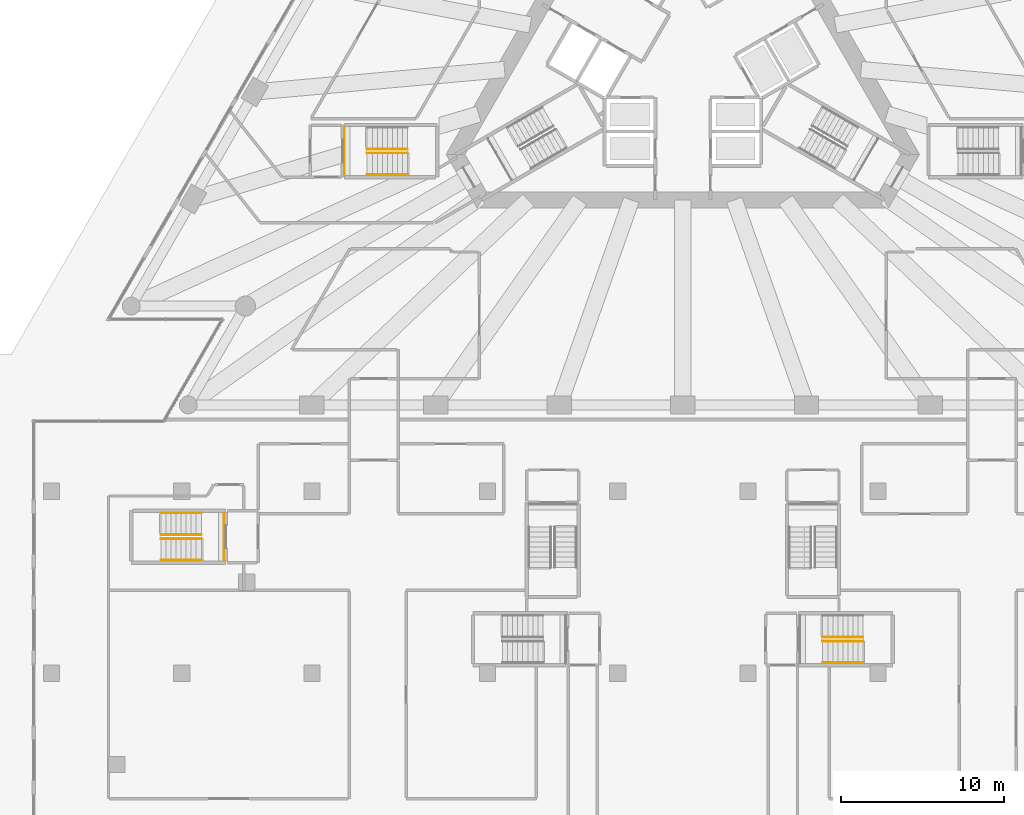
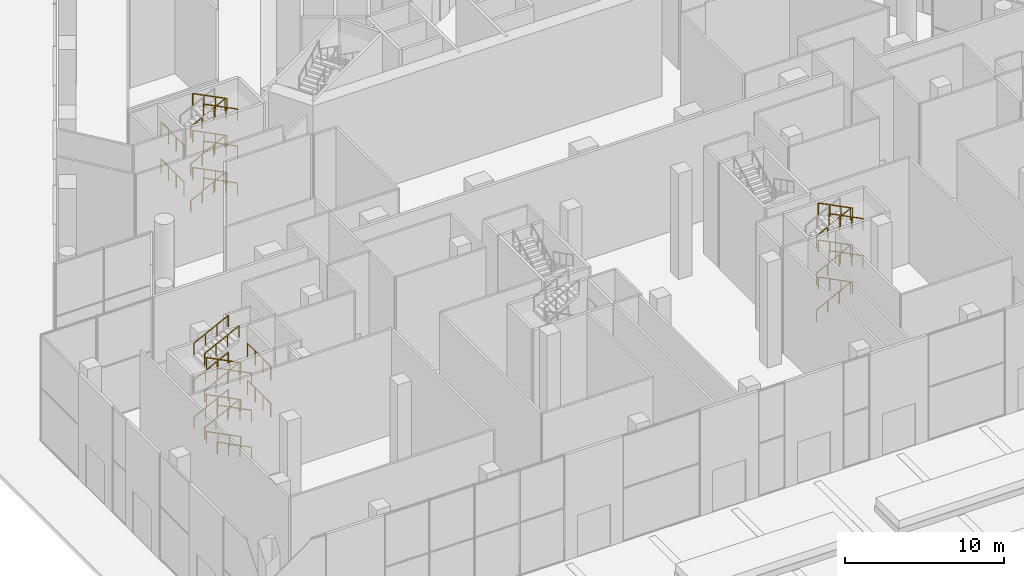
# One storey, part 36 of 41: 33 railings, 3 elements without a shape of their own.
"""IFC4 building model written with IfcOpenShell, lengths in metres."""

from ifc_helpers import new_model, si_unit, direction, frame, origin, origin_2d, place, context, subcontext, project, spatial, circle, extrude, material, type_object, element, aggregate, save


model = new_model("IFC4")

# Units and contexts
model_context = context("Model", 3, precision=1e-05, world=origin(), true_north=direction((0.0, 1.0)))
body_context = subcontext(model_context, "Body", "Model", "MODEL_VIEW")
ifc_project = project(units=[si_unit("LENGTHUNIT", "METRE"), si_unit("AREAUNIT", "SQUARE_METRE"), si_unit("VOLUMEUNIT", "CUBIC_METRE"), si_unit("PLANEANGLEUNIT", "RADIAN"), si_unit("MASSUNIT", "GRAM", prefix="KILO")], contexts=[model_context])

# Site, building, storey
site_placement = place(None, origin())
site = spatial("IfcSite", under=ifc_project, at=site_placement, CompositionType="ELEMENT")
building_placement = place(site_placement, origin())
building = spatial("IfcBuilding", under=site, at=building_placement, Name="Triada Interchange Tower", CompositionType="ELEMENT")
storey_placement = place(building_placement, origin())
storey = spatial("IfcBuildingStorey", under=building, at=storey_placement, Name="L00", CompositionType="ELEMENT", Elevation=0.0)

# Stair, railings
ifc_material_1 = material(Name="Concrete C35/45", Category="concrete")
stair_type = type_object("IfcStairType", Name="HALF TURN STAIR 1400", PredefinedType="HALF_TURN_STAIR", material=ifc_material_1)
stair_1_placement = place(storey_placement, origin())
stair_1 = element("IfcStair", 1, at=stair_1_placement, inside=storey, type_object=stair_type, Name="Exit stair S00-6", PredefinedType="HALF_TURN_STAIR")
ifc_material_2 = material(Name="Stainless steel 1.4301", Category="steel")
railing_type_1 = type_object("IfcRailingType", Name="STAIR GUARD 1100", PredefinedType="GUARDRAIL", material=ifc_material_2)
railing_1_placement = place(storey_placement, frame((-20.800048828125, -4.550048828125, 2.83349609375)))
railing_1 = element("IfcRailing", 2, at=railing_1_placement, type_object=railing_type_1, Name="Guard S00-6 1", PredefinedType="GUARDRAIL", context=body_context, shape_type="SweptSolid", body=[
    extrude(circle(Radius=0.02392578125, at=origin_2d()), frame((0.0, 0.0, 1.076171875), z_axis=(0.0, -1.0, 0.0), x_axis=(1.0, 0.0, 0.0)), (0.0, 0.0, 1.0), 2.89990234375),
    extrude(circle(Radius=0.02099609375, at=origin_2d()), origin(), (0.0, 0.0, 1.0), 1.052001953125),
    extrude(circle(Radius=0.02099609375, at=origin_2d()), frame((0.0, -0.966552734375, 0.0)), (0.0, 0.0, 1.0), 1.052001953125),
    extrude(circle(Radius=0.02099609375, at=origin_2d()), frame((0.0, -1.933349609375, 0.0)), (0.0, 0.0, 1.0), 1.052001953125),
    extrude(circle(Radius=0.02099609375, at=origin_2d()), frame((0.0, -2.89990234375, 0.0)), (0.0, 0.0, 1.0), 1.052001953125),
])
railing_2_placement = place(storey_placement, frame((-20.800048828125, -4.550048828125, 5.666748046875)))
railing_2 = element("IfcRailing", 3, at=railing_2_placement, type_object=railing_type_1, Name="Guard S00-6 2", PredefinedType="GUARDRAIL", context=body_context, shape_type="SweptSolid", body=[
    extrude(circle(Radius=0.02392578125, at=origin_2d()), frame((0.0, 0.0, 1.076171875), z_axis=(0.0, -1.0, 0.0), x_axis=(1.0, 0.0, 0.0)), (0.0, 0.0, 1.0), 2.89990234375),
    extrude(circle(Radius=0.02099609375, at=origin_2d()), origin(), (0.0, 0.0, 1.0), 1.052001953125),
    extrude(circle(Radius=0.02099609375, at=origin_2d()), frame((0.0, -0.966552734375, 0.0)), (0.0, 0.0, 1.0), 1.052001953125),
    extrude(circle(Radius=0.02099609375, at=origin_2d()), frame((0.0, -1.933349609375, 0.0)), (0.0, 0.0, 1.0), 1.052001953125),
    extrude(circle(Radius=0.02099609375, at=origin_2d()), frame((0.0, -2.89990234375, 0.0)), (0.0, 0.0, 1.0), 1.052001953125),
])

stair_2_placement = place(storey_placement, origin())
stair_2 = element("IfcStair", 4, at=stair_2_placement, inside=storey, type_object=stair_type, Name="Exit stair S00-8", PredefinedType="HALF_TURN_STAIR")
railing_3_placement = place(storey_placement, frame((-28.199951171875, -31.14990234375, 2.83349609375)))
railing_3 = element("IfcRailing", 5, at=railing_3_placement, type_object=railing_type_1, Name="Guard S00-8 1", PredefinedType="GUARDRAIL", context=body_context, shape_type="SweptSolid", body=[
    extrude(circle(Radius=0.02392578125, at=origin_2d()), frame((0.0, 0.0, 1.076171875), z_axis=(0.0, 1.0, 0.0), x_axis=(-1.0, 0.0, 0.0)), (0.0, 0.0, 1.0), 2.89990234375),
    extrude(circle(Radius=0.02099609375, at=origin_2d()), origin(), (0.0, 0.0, 1.0), 1.052001953125),
    extrude(circle(Radius=0.02099609375, at=origin_2d()), frame((0.0, 0.966552734375, 0.0)), (0.0, 0.0, 1.0), 1.052001953125),
    extrude(circle(Radius=0.02099609375, at=origin_2d()), frame((0.0, 1.933349609375, 0.0)), (0.0, 0.0, 1.0), 1.052001953125),
    extrude(circle(Radius=0.02099609375, at=origin_2d()), frame((0.0, 2.89990234375, 0.0)), (0.0, 0.0, 1.0), 1.052001953125),
])
railing_4_placement = place(storey_placement, frame((-28.199951171875, -31.14990234375, 5.666748046875)))
railing_4 = element("IfcRailing", 6, at=railing_4_placement, type_object=railing_type_1, Name="Guard S00-8 2", PredefinedType="GUARDRAIL", context=body_context, shape_type="SweptSolid", body=[
    extrude(circle(Radius=0.02392578125, at=origin_2d()), frame((0.0, 0.0, 1.076171875), z_axis=(0.0, 1.0, 0.0), x_axis=(-1.0, 0.0, 0.0)), (0.0, 0.0, 1.0), 2.89990234375),
    extrude(circle(Radius=0.02099609375, at=origin_2d()), origin(), (0.0, 0.0, 1.0), 1.052001953125),
    extrude(circle(Radius=0.02099609375, at=origin_2d()), frame((0.0, 0.966552734375, 0.0)), (0.0, 0.0, 1.0), 1.052001953125),
    extrude(circle(Radius=0.02099609375, at=origin_2d()), frame((0.0, 1.933349609375, 0.0)), (0.0, 0.0, 1.0), 1.052001953125),
    extrude(circle(Radius=0.02099609375, at=origin_2d()), frame((0.0, 2.89990234375, 0.0)), (0.0, 0.0, 1.0), 1.052001953125),
])

stair_3_placement = place(storey_placement, origin())
stair_3 = element("IfcStair", 7, at=stair_3_placement, inside=storey, type_object=stair_type, Name="Exit stair S00-5", PredefinedType="HALF_TURN_STAIR")
railing_type_2 = type_object("IfcRailingType", Name="STAIR HANDRAIL 900", PredefinedType="HANDRAIL", material=ifc_material_2)
railing_5_placement = place(storey_placement, frame((8.60009765625, -35.8798828125, 0.157470703125)))
railing_5 = element("IfcRailing", 8, at=railing_5_placement, type_object=railing_type_2, Name="Handrail S00-5 1C", PredefinedType="HANDRAIL", context=body_context, shape_type="SweptSolid", body=[
    extrude(circle(Radius=0.02392578125, at=origin_2d()), frame((0.0, 0.0, 0.8759765625), z_axis=(0.891636241932, 0.0, 0.452752484336), x_axis=(0.0, 1.0, 0.0)), (0.0, 0.0, 1.0), 2.781494140625),
    extrude(circle(Radius=0.02099609375, at=origin_2d()), origin(), (0.0, 0.0, 1.0), 0.851806640625),
    extrude(circle(Radius=0.02099609375, at=origin_2d()), frame((0.82666015625, 0.0, 0.419677734375)), (0.0, 0.0, 1.0), 0.851806640625),
    extrude(circle(Radius=0.02099609375, at=origin_2d()), frame((1.6533203125, 0.0, 0.839599609375)), (0.0, 0.0, 1.0), 0.851806640625),
    extrude(circle(Radius=0.02099609375, at=origin_2d()), frame((2.47998046875, 0.0, 1.25927734375)), (0.0, 0.0, 1.0), 0.851806640625),
])
railing_6_placement = place(storey_placement, frame((11.080078125, -36.1201171875, 1.57421875)))
railing_6 = element("IfcRailing", 9, at=railing_6_placement, type_object=railing_type_2, Name="Handrail S00-5 2C", PredefinedType="HANDRAIL", context=body_context, shape_type="SweptSolid", body=[
    extrude(circle(Radius=0.02392578125, at=origin_2d()), frame((0.0, 0.0, 0.8759765625), z_axis=(-0.891636241932, 0.0, 0.452752484336), x_axis=(0.0, -1.0, 0.0)), (0.0, 0.0, 1.0), 2.781494140625),
    extrude(circle(Radius=0.02099609375, at=origin_2d()), origin(), (0.0, 0.0, 1.0), 0.851806640625),
    extrude(circle(Radius=0.02099609375, at=origin_2d()), frame((-0.82666015625, 0.0, 0.419677734375)), (0.0, 0.0, 1.0), 0.851806640625),
    extrude(circle(Radius=0.02099609375, at=origin_2d()), frame((-1.6533203125, 0.0, 0.839599609375)), (0.0, 0.0, 1.0), 0.851806640625),
    extrude(circle(Radius=0.02099609375, at=origin_2d()), frame((-2.47998046875, 0.0, 1.25927734375)), (0.0, 0.0, 1.0), 0.851806640625),
])
railing_7_placement = place(storey_placement, frame((8.60009765625, -35.8798828125, 2.99072265625)))
railing_7 = element("IfcRailing", 10, at=railing_7_placement, type_object=railing_type_2, Name="Handrail S00-5 3C", PredefinedType="HANDRAIL", context=body_context, shape_type="SweptSolid", body=[
    extrude(circle(Radius=0.02392578125, at=origin_2d()), frame((0.0, 0.0, 0.8759765625), z_axis=(0.891636241932, 0.0, 0.452752484336), x_axis=(0.0, 1.0, 0.0)), (0.0, 0.0, 1.0), 2.781494140625),
    extrude(circle(Radius=0.02099609375, at=origin_2d()), origin(), (0.0, 0.0, 1.0), 0.851806640625),
    extrude(circle(Radius=0.02099609375, at=origin_2d()), frame((0.82666015625, 0.0, 0.419677734375)), (0.0, 0.0, 1.0), 0.851806640625),
    extrude(circle(Radius=0.02099609375, at=origin_2d()), frame((1.6533203125, 0.0, 0.839599609375)), (0.0, 0.0, 1.0), 0.851806640625),
    extrude(circle(Radius=0.02099609375, at=origin_2d()), frame((2.47998046875, 0.0, 1.25927734375)), (0.0, 0.0, 1.0), 0.851806640625),
])
railing_8_placement = place(storey_placement, frame((11.080078125, -37.449951171875, 4.407470703125)))
railing_8 = element("IfcRailing", 11, at=railing_8_placement, type_object=railing_type_2, Name="Handrail S00-5 4W", PredefinedType="HANDRAIL", context=body_context, shape_type="SweptSolid", body=[
    extrude(circle(Radius=0.02392578125, at=origin_2d()), frame((0.0, 0.0, 0.8759765625), z_axis=(-0.891636241932, 0.0, 0.452752484336), x_axis=(0.0, -1.0, 0.0)), (0.0, 0.0, 1.0), 2.781494140625),
    extrude(circle(Radius=0.02099609375, at=origin_2d()), origin(), (0.0, 0.0, 1.0), 0.851806640625),
    extrude(circle(Radius=0.02099609375, at=origin_2d()), frame((-0.82666015625, 0.0, 0.419677734375)), (0.0, 0.0, 1.0), 0.851806640625),
    extrude(circle(Radius=0.02099609375, at=origin_2d()), frame((-1.6533203125, 0.0, 0.839599609375)), (0.0, 0.0, 1.0), 0.851806640625),
    extrude(circle(Radius=0.02099609375, at=origin_2d()), frame((-2.47998046875, 0.0, 1.25927734375)), (0.0, 0.0, 1.0), 0.851806640625),
])
railing_9_placement = place(storey_placement, frame((11.080078125, -36.1201171875, 4.407470703125)))
railing_9 = element("IfcRailing", 12, at=railing_9_placement, type_object=railing_type_2, Name="Handrail S00-5 4C", PredefinedType="HANDRAIL", context=body_context, shape_type="SweptSolid", body=[
    extrude(circle(Radius=0.02392578125, at=origin_2d()), frame((0.0, 0.0, 0.8759765625), z_axis=(-0.891636241932, 0.0, 0.452752484336), x_axis=(0.0, -1.0, 0.0)), (0.0, 0.0, 1.0), 2.781494140625),
    extrude(circle(Radius=0.02099609375, at=origin_2d()), origin(), (0.0, 0.0, 1.0), 0.851806640625),
    extrude(circle(Radius=0.02099609375, at=origin_2d()), frame((-0.82666015625, 0.0, 0.419677734375)), (0.0, 0.0, 1.0), 0.851806640625),
    extrude(circle(Radius=0.02099609375, at=origin_2d()), frame((-1.6533203125, 0.0, 0.839599609375)), (0.0, 0.0, 1.0), 0.851806640625),
    extrude(circle(Radius=0.02099609375, at=origin_2d()), frame((-2.47998046875, 0.0, 1.25927734375)), (0.0, 0.0, 1.0), 0.851806640625),
])
railing_10_placement = place(storey_placement, frame((8.60009765625, -35.8798828125, 5.82421875)))
railing_10 = element("IfcRailing", 13, at=railing_10_placement, type_object=railing_type_2, Name="Handrail S00-5 5C", PredefinedType="HANDRAIL", context=body_context, shape_type="SweptSolid", body=[
    extrude(circle(Radius=0.02392578125, at=origin_2d()), frame((0.0, 0.0, 0.8759765625), z_axis=(0.891636241932, 0.0, 0.452752484336), x_axis=(0.0, 1.0, 0.0)), (0.0, 0.0, 1.0), 2.781494140625),
    extrude(circle(Radius=0.02099609375, at=origin_2d()), origin(), (0.0, 0.0, 1.0), 0.851806640625),
    extrude(circle(Radius=0.02099609375, at=origin_2d()), frame((0.82666015625, 0.0, 0.419677734375)), (0.0, 0.0, 1.0), 0.851806640625),
    extrude(circle(Radius=0.02099609375, at=origin_2d()), frame((1.6533203125, 0.0, 0.839599609375)), (0.0, 0.0, 1.0), 0.851806640625),
    extrude(circle(Radius=0.02099609375, at=origin_2d()), frame((2.47998046875, 0.0, 1.25927734375)), (0.0, 0.0, 1.0), 0.851806640625),
])
railing_11_placement = place(storey_placement, frame((11.080078125, -37.449951171875, 7.240966796875)))
railing_11 = element("IfcRailing", 14, at=railing_11_placement, type_object=railing_type_2, Name="Handrail S00-5 6W", PredefinedType="HANDRAIL", context=body_context, shape_type="SweptSolid", body=[
    extrude(circle(Radius=0.02392578125, at=origin_2d()), frame((0.0, 0.0, 0.8759765625), z_axis=(-0.891636241932, 0.0, 0.452752484336), x_axis=(0.0, -1.0, 0.0)), (0.0, 0.0, 1.0), 2.781494140625),
    extrude(circle(Radius=0.02099609375, at=origin_2d()), origin(), (0.0, 0.0, 1.0), 0.851806640625),
    extrude(circle(Radius=0.02099609375, at=origin_2d()), frame((-0.82666015625, 0.0, 0.419677734375)), (0.0, 0.0, 1.0), 0.851806640625),
    extrude(circle(Radius=0.02099609375, at=origin_2d()), frame((-1.6533203125, 0.0, 0.839599609375)), (0.0, 0.0, 1.0), 0.851806640625),
    extrude(circle(Radius=0.02099609375, at=origin_2d()), frame((-2.47998046875, 0.0, 1.25927734375)), (0.0, 0.0, 1.0), 0.851806640625),
])
railing_12_placement = place(storey_placement, frame((11.080078125, -36.1201171875, 7.240966796875)))
railing_12 = element("IfcRailing", 15, at=railing_12_placement, type_object=railing_type_2, Name="Handrail S00-5 6C", PredefinedType="HANDRAIL", context=body_context, shape_type="SweptSolid", body=[
    extrude(circle(Radius=0.02392578125, at=origin_2d()), frame((0.0, 0.0, 0.8759765625), z_axis=(-0.891636241932, 0.0, 0.452752484336), x_axis=(0.0, -1.0, 0.0)), (0.0, 0.0, 1.0), 2.781494140625),
    extrude(circle(Radius=0.02099609375, at=origin_2d()), origin(), (0.0, 0.0, 1.0), 0.851806640625),
    extrude(circle(Radius=0.02099609375, at=origin_2d()), frame((-0.82666015625, 0.0, 0.419677734375)), (0.0, 0.0, 1.0), 0.851806640625),
    extrude(circle(Radius=0.02099609375, at=origin_2d()), frame((-1.6533203125, 0.0, 0.839599609375)), (0.0, 0.0, 1.0), 0.851806640625),
    extrude(circle(Radius=0.02099609375, at=origin_2d()), frame((-2.47998046875, 0.0, 1.25927734375)), (0.0, 0.0, 1.0), 0.851806640625),
])
aggregate(stair_3, [railing_5, railing_6, railing_7, railing_8, railing_9, railing_10, railing_11, railing_12])

# Railing
railing_13_placement = place(storey_placement, frame((-19.39990234375, -5.8798828125, 0.157470703125)))
railing_13 = element("IfcRailing", 16, at=railing_13_placement, type_object=railing_type_2, Name="Handrail S00-6 1C", PredefinedType="HANDRAIL", context=body_context, shape_type="SweptSolid", body=[
    extrude(circle(Radius=0.02392578125, at=origin_2d()), frame((0.0, 0.0, 0.8759765625), z_axis=(0.891636241932, 0.0, 0.452752484336), x_axis=(0.0, 1.0, 0.0)), (0.0, 0.0, 1.0), 2.781494140625),
    extrude(circle(Radius=0.02099609375, at=origin_2d()), origin(), (0.0, 0.0, 1.0), 0.851806640625),
    extrude(circle(Radius=0.02099609375, at=origin_2d()), frame((0.82666015625, 0.0, 0.419677734375)), (0.0, 0.0, 1.0), 0.851806640625),
    extrude(circle(Radius=0.02099609375, at=origin_2d()), frame((1.6533203125, 0.0, 0.839599609375)), (0.0, 0.0, 1.0), 0.851806640625),
    extrude(circle(Radius=0.02099609375, at=origin_2d()), frame((2.47998046875, 0.0, 1.25927734375)), (0.0, 0.0, 1.0), 0.851806640625),
])

railing_14_placement = place(storey_placement, frame((-16.919921875, -7.449951171875, 1.57421875)))
railing_14 = element("IfcRailing", 17, at=railing_14_placement, type_object=railing_type_2, Name="Handrail S00-6 2W", PredefinedType="HANDRAIL", context=body_context, shape_type="SweptSolid", body=[
    extrude(circle(Radius=0.02392578125, at=origin_2d()), frame((0.0, 0.0, 0.8759765625), z_axis=(-0.891636241932, 0.0, 0.452752484336), x_axis=(0.0, -1.0, 0.0)), (0.0, 0.0, 1.0), 2.781494140625),
    extrude(circle(Radius=0.02099609375, at=origin_2d()), origin(), (0.0, 0.0, 1.0), 0.851806640625),
    extrude(circle(Radius=0.02099609375, at=origin_2d()), frame((-0.82666015625, 0.0, 0.419677734375)), (0.0, 0.0, 1.0), 0.851806640625),
    extrude(circle(Radius=0.02099609375, at=origin_2d()), frame((-1.6533203125, 0.0, 0.839599609375)), (0.0, 0.0, 1.0), 0.851806640625),
    extrude(circle(Radius=0.02099609375, at=origin_2d()), frame((-2.47998046875, 0.0, 1.25927734375)), (0.0, 0.0, 1.0), 0.851806640625),
])

railing_15_placement = place(storey_placement, frame((-16.919921875, -6.1201171875, 1.57421875)))
railing_15 = element("IfcRailing", 18, at=railing_15_placement, type_object=railing_type_2, Name="Handrail S00-6 2C", PredefinedType="HANDRAIL", context=body_context, shape_type="SweptSolid", body=[
    extrude(circle(Radius=0.02392578125, at=origin_2d()), frame((0.0, 0.0, 0.8759765625), z_axis=(-0.891636241932, 0.0, 0.452752484336), x_axis=(0.0, -1.0, 0.0)), (0.0, 0.0, 1.0), 2.781494140625),
    extrude(circle(Radius=0.02099609375, at=origin_2d()), origin(), (0.0, 0.0, 1.0), 0.851806640625),
    extrude(circle(Radius=0.02099609375, at=origin_2d()), frame((-0.82666015625, 0.0, 0.419677734375)), (0.0, 0.0, 1.0), 0.851806640625),
    extrude(circle(Radius=0.02099609375, at=origin_2d()), frame((-1.6533203125, 0.0, 0.839599609375)), (0.0, 0.0, 1.0), 0.851806640625),
    extrude(circle(Radius=0.02099609375, at=origin_2d()), frame((-2.47998046875, 0.0, 1.25927734375)), (0.0, 0.0, 1.0), 0.851806640625),
])

railing_16_placement = place(storey_placement, frame((-19.39990234375, -5.8798828125, 2.99072265625)))
railing_16 = element("IfcRailing", 19, at=railing_16_placement, type_object=railing_type_2, Name="Handrail S00-6 3C", PredefinedType="HANDRAIL", context=body_context, shape_type="SweptSolid", body=[
    extrude(circle(Radius=0.02392578125, at=origin_2d()), frame((0.0, 0.0, 0.8759765625), z_axis=(0.891636241932, 0.0, 0.452752484336), x_axis=(0.0, 1.0, 0.0)), (0.0, 0.0, 1.0), 2.781494140625),
    extrude(circle(Radius=0.02099609375, at=origin_2d()), origin(), (0.0, 0.0, 1.0), 0.851806640625),
    extrude(circle(Radius=0.02099609375, at=origin_2d()), frame((0.82666015625, 0.0, 0.419677734375)), (0.0, 0.0, 1.0), 0.851806640625),
    extrude(circle(Radius=0.02099609375, at=origin_2d()), frame((1.6533203125, 0.0, 0.839599609375)), (0.0, 0.0, 1.0), 0.851806640625),
    extrude(circle(Radius=0.02099609375, at=origin_2d()), frame((2.47998046875, 0.0, 1.25927734375)), (0.0, 0.0, 1.0), 0.851806640625),
])

railing_17_placement = place(storey_placement, frame((-16.919921875, -7.449951171875, 4.407470703125)))
railing_17 = element("IfcRailing", 20, at=railing_17_placement, type_object=railing_type_2, Name="Handrail S00-6 4W", PredefinedType="HANDRAIL", context=body_context, shape_type="SweptSolid", body=[
    extrude(circle(Radius=0.02392578125, at=origin_2d()), frame((0.0, 0.0, 0.8759765625), z_axis=(-0.891636241932, 0.0, 0.452752484336), x_axis=(0.0, -1.0, 0.0)), (0.0, 0.0, 1.0), 2.781494140625),
    extrude(circle(Radius=0.02099609375, at=origin_2d()), origin(), (0.0, 0.0, 1.0), 0.851806640625),
    extrude(circle(Radius=0.02099609375, at=origin_2d()), frame((-0.82666015625, 0.0, 0.419677734375)), (0.0, 0.0, 1.0), 0.851806640625),
    extrude(circle(Radius=0.02099609375, at=origin_2d()), frame((-1.6533203125, 0.0, 0.839599609375)), (0.0, 0.0, 1.0), 0.851806640625),
    extrude(circle(Radius=0.02099609375, at=origin_2d()), frame((-2.47998046875, 0.0, 1.25927734375)), (0.0, 0.0, 1.0), 0.851806640625),
])

railing_18_placement = place(storey_placement, frame((-16.919921875, -6.1201171875, 4.407470703125)))
railing_18 = element("IfcRailing", 21, at=railing_18_placement, type_object=railing_type_2, Name="Handrail S00-6 4C", PredefinedType="HANDRAIL", context=body_context, shape_type="SweptSolid", body=[
    extrude(circle(Radius=0.02392578125, at=origin_2d()), frame((0.0, 0.0, 0.8759765625), z_axis=(-0.891636241932, 0.0, 0.452752484336), x_axis=(0.0, -1.0, 0.0)), (0.0, 0.0, 1.0), 2.781494140625),
    extrude(circle(Radius=0.02099609375, at=origin_2d()), origin(), (0.0, 0.0, 1.0), 0.851806640625),
    extrude(circle(Radius=0.02099609375, at=origin_2d()), frame((-0.82666015625, 0.0, 0.419677734375)), (0.0, 0.0, 1.0), 0.851806640625),
    extrude(circle(Radius=0.02099609375, at=origin_2d()), frame((-1.6533203125, 0.0, 0.839599609375)), (0.0, 0.0, 1.0), 0.851806640625),
    extrude(circle(Radius=0.02099609375, at=origin_2d()), frame((-2.47998046875, 0.0, 1.25927734375)), (0.0, 0.0, 1.0), 0.851806640625),
])

railing_19_placement = place(storey_placement, frame((-19.39990234375, -5.8798828125, 5.82421875)))
railing_19 = element("IfcRailing", 22, at=railing_19_placement, type_object=railing_type_2, Name="Handrail S00-6 5C", PredefinedType="HANDRAIL", context=body_context, shape_type="SweptSolid", body=[
    extrude(circle(Radius=0.02392578125, at=origin_2d()), frame((0.0, 0.0, 0.8759765625), z_axis=(0.891636241932, 0.0, 0.452752484336), x_axis=(0.0, 1.0, 0.0)), (0.0, 0.0, 1.0), 2.781494140625),
    extrude(circle(Radius=0.02099609375, at=origin_2d()), origin(), (0.0, 0.0, 1.0), 0.851806640625),
    extrude(circle(Radius=0.02099609375, at=origin_2d()), frame((0.82666015625, 0.0, 0.419677734375)), (0.0, 0.0, 1.0), 0.851806640625),
    extrude(circle(Radius=0.02099609375, at=origin_2d()), frame((1.6533203125, 0.0, 0.839599609375)), (0.0, 0.0, 1.0), 0.851806640625),
    extrude(circle(Radius=0.02099609375, at=origin_2d()), frame((2.47998046875, 0.0, 1.25927734375)), (0.0, 0.0, 1.0), 0.851806640625),
])

railing_20_placement = place(storey_placement, frame((-16.919921875, -7.449951171875, 7.240966796875)))
railing_20 = element("IfcRailing", 23, at=railing_20_placement, type_object=railing_type_2, Name="Handrail S00-6 6W", PredefinedType="HANDRAIL", context=body_context, shape_type="SweptSolid", body=[
    extrude(circle(Radius=0.02392578125, at=origin_2d()), frame((0.0, 0.0, 0.8759765625), z_axis=(-0.891636241932, 0.0, 0.452752484336), x_axis=(0.0, -1.0, 0.0)), (0.0, 0.0, 1.0), 2.781494140625),
    extrude(circle(Radius=0.02099609375, at=origin_2d()), origin(), (0.0, 0.0, 1.0), 0.851806640625),
    extrude(circle(Radius=0.02099609375, at=origin_2d()), frame((-0.82666015625, 0.0, 0.419677734375)), (0.0, 0.0, 1.0), 0.851806640625),
    extrude(circle(Radius=0.02099609375, at=origin_2d()), frame((-1.6533203125, 0.0, 0.839599609375)), (0.0, 0.0, 1.0), 0.851806640625),
    extrude(circle(Radius=0.02099609375, at=origin_2d()), frame((-2.47998046875, 0.0, 1.25927734375)), (0.0, 0.0, 1.0), 0.851806640625),
])

railing_21_placement = place(storey_placement, frame((-16.919921875, -6.1201171875, 7.240966796875)))
railing_21 = element("IfcRailing", 24, at=railing_21_placement, type_object=railing_type_2, Name="Handrail S00-6 6C", PredefinedType="HANDRAIL", context=body_context, shape_type="SweptSolid", body=[
    extrude(circle(Radius=0.02392578125, at=origin_2d()), frame((0.0, 0.0, 0.8759765625), z_axis=(-0.891636241932, 0.0, 0.452752484336), x_axis=(0.0, -1.0, 0.0)), (0.0, 0.0, 1.0), 2.781494140625),
    extrude(circle(Radius=0.02099609375, at=origin_2d()), origin(), (0.0, 0.0, 1.0), 0.851806640625),
    extrude(circle(Radius=0.02099609375, at=origin_2d()), frame((-0.82666015625, 0.0, 0.419677734375)), (0.0, 0.0, 1.0), 0.851806640625),
    extrude(circle(Radius=0.02099609375, at=origin_2d()), frame((-1.6533203125, 0.0, 0.839599609375)), (0.0, 0.0, 1.0), 0.851806640625),
    extrude(circle(Radius=0.02099609375, at=origin_2d()), frame((-2.47998046875, 0.0, 1.25927734375)), (0.0, 0.0, 1.0), 0.851806640625),
])

aggregate(stair_1, [railing_13, railing_14, railing_15, railing_16, railing_17, railing_18, railing_19, railing_20, railing_21, railing_1, railing_2])

railing_22_placement = place(storey_placement, frame((-29.60009765625, -31.14990234375, 0.157470703125)))
railing_22 = element("IfcRailing", 25, at=railing_22_placement, type_object=railing_type_2, Name="Handrail S00-8 1W", PredefinedType="HANDRAIL", context=body_context, shape_type="SweptSolid", body=[
    extrude(circle(Radius=0.02392578125, at=origin_2d()), frame((0.0, 0.0, 0.8759765625), z_axis=(-0.891636241932, 0.0, 0.452752484336), x_axis=(0.0, -1.0, 0.0)), (0.0, 0.0, 1.0), 2.781494140625),
    extrude(circle(Radius=0.02099609375, at=origin_2d()), origin(), (0.0, 0.0, 1.0), 0.851806640625),
    extrude(circle(Radius=0.02099609375, at=origin_2d()), frame((-0.82666015625, 0.0, 0.419677734375)), (0.0, 0.0, 1.0), 0.851806640625),
    extrude(circle(Radius=0.02099609375, at=origin_2d()), frame((-1.6533203125, 0.0, 0.839599609375)), (0.0, 0.0, 1.0), 0.851806640625),
    extrude(circle(Radius=0.02099609375, at=origin_2d()), frame((-2.47998046875, 0.0, 1.25927734375)), (0.0, 0.0, 1.0), 0.851806640625),
])

railing_23_placement = place(storey_placement, frame((-29.60009765625, -29.820068359375, 0.157470703125)))
railing_23 = element("IfcRailing", 26, at=railing_23_placement, type_object=railing_type_2, Name="Handrail S00-8 1C", PredefinedType="HANDRAIL", context=body_context, shape_type="SweptSolid", body=[
    extrude(circle(Radius=0.02392578125, at=origin_2d()), frame((0.0, 0.0, 0.8759765625), z_axis=(-0.891636241932, 0.0, 0.452752484336), x_axis=(0.0, -1.0, 0.0)), (0.0, 0.0, 1.0), 2.781494140625),
    extrude(circle(Radius=0.02099609375, at=origin_2d()), origin(), (0.0, 0.0, 1.0), 0.851806640625),
    extrude(circle(Radius=0.02099609375, at=origin_2d()), frame((-0.82666015625, 0.0, 0.419677734375)), (0.0, 0.0, 1.0), 0.851806640625),
    extrude(circle(Radius=0.02099609375, at=origin_2d()), frame((-1.6533203125, 0.0, 0.839599609375)), (0.0, 0.0, 1.0), 0.851806640625),
    extrude(circle(Radius=0.02099609375, at=origin_2d()), frame((-2.47998046875, 0.0, 1.25927734375)), (0.0, 0.0, 1.0), 0.851806640625),
])

railing_24_placement = place(storey_placement, frame((-32.080078125, -28.25, 1.57421875)))
railing_24 = element("IfcRailing", 27, at=railing_24_placement, type_object=railing_type_2, Name="Handrail S00-8 2W", PredefinedType="HANDRAIL", context=body_context, shape_type="SweptSolid", body=[
    extrude(circle(Radius=0.02392578125, at=origin_2d()), frame((0.0, 0.0, 0.8759765625), z_axis=(0.891636241932, 0.0, 0.452752484336), x_axis=(0.0, 1.0, 0.0)), (0.0, 0.0, 1.0), 2.781494140625),
    extrude(circle(Radius=0.02099609375, at=origin_2d()), origin(), (0.0, 0.0, 1.0), 0.851806640625),
    extrude(circle(Radius=0.02099609375, at=origin_2d()), frame((0.82666015625, 0.0, 0.419677734375)), (0.0, 0.0, 1.0), 0.851806640625),
    extrude(circle(Radius=0.02099609375, at=origin_2d()), frame((1.6533203125, 0.0, 0.839599609375)), (0.0, 0.0, 1.0), 0.851806640625),
    extrude(circle(Radius=0.02099609375, at=origin_2d()), frame((2.47998046875, 0.0, 1.25927734375)), (0.0, 0.0, 1.0), 0.851806640625),
])

railing_25_placement = place(storey_placement, frame((-32.080078125, -29.580078125, 1.57421875)))
railing_25 = element("IfcRailing", 28, at=railing_25_placement, type_object=railing_type_2, Name="Handrail S00-8 2C", PredefinedType="HANDRAIL", context=body_context, shape_type="SweptSolid", body=[
    extrude(circle(Radius=0.02392578125, at=origin_2d()), frame((0.0, 0.0, 0.8759765625), z_axis=(0.891636241932, 0.0, 0.452752484336), x_axis=(0.0, 1.0, 0.0)), (0.0, 0.0, 1.0), 2.781494140625),
    extrude(circle(Radius=0.02099609375, at=origin_2d()), origin(), (0.0, 0.0, 1.0), 0.851806640625),
    extrude(circle(Radius=0.02099609375, at=origin_2d()), frame((0.82666015625, 0.0, 0.419677734375)), (0.0, 0.0, 1.0), 0.851806640625),
    extrude(circle(Radius=0.02099609375, at=origin_2d()), frame((1.6533203125, 0.0, 0.839599609375)), (0.0, 0.0, 1.0), 0.851806640625),
    extrude(circle(Radius=0.02099609375, at=origin_2d()), frame((2.47998046875, 0.0, 1.25927734375)), (0.0, 0.0, 1.0), 0.851806640625),
])

railing_26_placement = place(storey_placement, frame((-29.60009765625, -31.14990234375, 2.99072265625)))
railing_26 = element("IfcRailing", 29, at=railing_26_placement, type_object=railing_type_2, Name="Handrail S00-8 3W", PredefinedType="HANDRAIL", context=body_context, shape_type="SweptSolid", body=[
    extrude(circle(Radius=0.02392578125, at=origin_2d()), frame((0.0, 0.0, 0.8759765625), z_axis=(-0.891636241932, 0.0, 0.452752484336), x_axis=(0.0, -1.0, 0.0)), (0.0, 0.0, 1.0), 2.781494140625),
    extrude(circle(Radius=0.02099609375, at=origin_2d()), origin(), (0.0, 0.0, 1.0), 0.851806640625),
    extrude(circle(Radius=0.02099609375, at=origin_2d()), frame((-0.82666015625, 0.0, 0.419677734375)), (0.0, 0.0, 1.0), 0.851806640625),
    extrude(circle(Radius=0.02099609375, at=origin_2d()), frame((-1.6533203125, 0.0, 0.839599609375)), (0.0, 0.0, 1.0), 0.851806640625),
    extrude(circle(Radius=0.02099609375, at=origin_2d()), frame((-2.47998046875, 0.0, 1.25927734375)), (0.0, 0.0, 1.0), 0.851806640625),
])

railing_27_placement = place(storey_placement, frame((-29.60009765625, -29.820068359375, 2.99072265625)))
railing_27 = element("IfcRailing", 30, at=railing_27_placement, type_object=railing_type_2, Name="Handrail S00-8 3C", PredefinedType="HANDRAIL", context=body_context, shape_type="SweptSolid", body=[
    extrude(circle(Radius=0.02392578125, at=origin_2d()), frame((0.0, 0.0, 0.8759765625), z_axis=(-0.891636241932, 0.0, 0.452752484336), x_axis=(0.0, -1.0, 0.0)), (0.0, 0.0, 1.0), 2.781494140625),
    extrude(circle(Radius=0.02099609375, at=origin_2d()), origin(), (0.0, 0.0, 1.0), 0.851806640625),
    extrude(circle(Radius=0.02099609375, at=origin_2d()), frame((-0.82666015625, 0.0, 0.419677734375)), (0.0, 0.0, 1.0), 0.851806640625),
    extrude(circle(Radius=0.02099609375, at=origin_2d()), frame((-1.6533203125, 0.0, 0.839599609375)), (0.0, 0.0, 1.0), 0.851806640625),
    extrude(circle(Radius=0.02099609375, at=origin_2d()), frame((-2.47998046875, 0.0, 1.25927734375)), (0.0, 0.0, 1.0), 0.851806640625),
])

railing_28_placement = place(storey_placement, frame((-32.080078125, -28.25, 4.407470703125)))
railing_28 = element("IfcRailing", 31, at=railing_28_placement, type_object=railing_type_2, Name="Handrail S00-8 4W", PredefinedType="HANDRAIL", context=body_context, shape_type="SweptSolid", body=[
    extrude(circle(Radius=0.02392578125, at=origin_2d()), frame((0.0, 0.0, 0.8759765625), z_axis=(0.891636241932, 0.0, 0.452752484336), x_axis=(0.0, 1.0, 0.0)), (0.0, 0.0, 1.0), 2.781494140625),
    extrude(circle(Radius=0.02099609375, at=origin_2d()), origin(), (0.0, 0.0, 1.0), 0.851806640625),
    extrude(circle(Radius=0.02099609375, at=origin_2d()), frame((0.82666015625, 0.0, 0.419677734375)), (0.0, 0.0, 1.0), 0.851806640625),
    extrude(circle(Radius=0.02099609375, at=origin_2d()), frame((1.6533203125, 0.0, 0.839599609375)), (0.0, 0.0, 1.0), 0.851806640625),
    extrude(circle(Radius=0.02099609375, at=origin_2d()), frame((2.47998046875, 0.0, 1.25927734375)), (0.0, 0.0, 1.0), 0.851806640625),
])

railing_29_placement = place(storey_placement, frame((-32.080078125, -29.580078125, 4.407470703125)))
railing_29 = element("IfcRailing", 32, at=railing_29_placement, type_object=railing_type_2, Name="Handrail S00-8 4C", PredefinedType="HANDRAIL", context=body_context, shape_type="SweptSolid", body=[
    extrude(circle(Radius=0.02392578125, at=origin_2d()), frame((0.0, 0.0, 0.8759765625), z_axis=(0.891636241932, 0.0, 0.452752484336), x_axis=(0.0, 1.0, 0.0)), (0.0, 0.0, 1.0), 2.781494140625),
    extrude(circle(Radius=0.02099609375, at=origin_2d()), origin(), (0.0, 0.0, 1.0), 0.851806640625),
    extrude(circle(Radius=0.02099609375, at=origin_2d()), frame((0.82666015625, 0.0, 0.419677734375)), (0.0, 0.0, 1.0), 0.851806640625),
    extrude(circle(Radius=0.02099609375, at=origin_2d()), frame((1.6533203125, 0.0, 0.839599609375)), (0.0, 0.0, 1.0), 0.851806640625),
    extrude(circle(Radius=0.02099609375, at=origin_2d()), frame((2.47998046875, 0.0, 1.25927734375)), (0.0, 0.0, 1.0), 0.851806640625),
])

railing_30_placement = place(storey_placement, frame((-29.60009765625, -31.14990234375, 5.82421875)))
railing_30 = element("IfcRailing", 33, at=railing_30_placement, type_object=railing_type_2, Name="Handrail S00-8 5W", PredefinedType="HANDRAIL", context=body_context, shape_type="SweptSolid", body=[
    extrude(circle(Radius=0.02392578125, at=origin_2d()), frame((0.0, 0.0, 0.8759765625), z_axis=(-0.891636241932, 0.0, 0.452752484336), x_axis=(0.0, -1.0, 0.0)), (0.0, 0.0, 1.0), 2.781494140625),
    extrude(circle(Radius=0.02099609375, at=origin_2d()), origin(), (0.0, 0.0, 1.0), 0.851806640625),
    extrude(circle(Radius=0.02099609375, at=origin_2d()), frame((-0.82666015625, 0.0, 0.419677734375)), (0.0, 0.0, 1.0), 0.851806640625),
    extrude(circle(Radius=0.02099609375, at=origin_2d()), frame((-1.6533203125, 0.0, 0.839599609375)), (0.0, 0.0, 1.0), 0.851806640625),
    extrude(circle(Radius=0.02099609375, at=origin_2d()), frame((-2.47998046875, 0.0, 1.25927734375)), (0.0, 0.0, 1.0), 0.851806640625),
])

railing_31_placement = place(storey_placement, frame((-29.60009765625, -29.820068359375, 5.82421875)))
railing_31 = element("IfcRailing", 34, at=railing_31_placement, type_object=railing_type_2, Name="Handrail S00-8 5C", PredefinedType="HANDRAIL", context=body_context, shape_type="SweptSolid", body=[
    extrude(circle(Radius=0.02392578125, at=origin_2d()), frame((0.0, 0.0, 0.8759765625), z_axis=(-0.891636241932, 0.0, 0.452752484336), x_axis=(0.0, -1.0, 0.0)), (0.0, 0.0, 1.0), 2.781494140625),
    extrude(circle(Radius=0.02099609375, at=origin_2d()), origin(), (0.0, 0.0, 1.0), 0.851806640625),
    extrude(circle(Radius=0.02099609375, at=origin_2d()), frame((-0.82666015625, 0.0, 0.419677734375)), (0.0, 0.0, 1.0), 0.851806640625),
    extrude(circle(Radius=0.02099609375, at=origin_2d()), frame((-1.6533203125, 0.0, 0.839599609375)), (0.0, 0.0, 1.0), 0.851806640625),
    extrude(circle(Radius=0.02099609375, at=origin_2d()), frame((-2.47998046875, 0.0, 1.25927734375)), (0.0, 0.0, 1.0), 0.851806640625),
])

railing_32_placement = place(storey_placement, frame((-32.080078125, -28.25, 7.240966796875)))
railing_32 = element("IfcRailing", 35, at=railing_32_placement, type_object=railing_type_2, Name="Handrail S00-8 6W", PredefinedType="HANDRAIL", context=body_context, shape_type="SweptSolid", body=[
    extrude(circle(Radius=0.02392578125, at=origin_2d()), frame((0.0, 0.0, 0.8759765625), z_axis=(0.891636241932, 0.0, 0.452752484336), x_axis=(0.0, 1.0, 0.0)), (0.0, 0.0, 1.0), 2.781494140625),
    extrude(circle(Radius=0.02099609375, at=origin_2d()), origin(), (0.0, 0.0, 1.0), 0.851806640625),
    extrude(circle(Radius=0.02099609375, at=origin_2d()), frame((0.82666015625, 0.0, 0.419677734375)), (0.0, 0.0, 1.0), 0.851806640625),
    extrude(circle(Radius=0.02099609375, at=origin_2d()), frame((1.6533203125, 0.0, 0.839599609375)), (0.0, 0.0, 1.0), 0.851806640625),
    extrude(circle(Radius=0.02099609375, at=origin_2d()), frame((2.47998046875, 0.0, 1.25927734375)), (0.0, 0.0, 1.0), 0.851806640625),
])

railing_33_placement = place(storey_placement, frame((-32.080078125, -29.580078125, 7.240966796875)))
railing_33 = element("IfcRailing", 36, at=railing_33_placement, type_object=railing_type_2, Name="Handrail S00-8 6C", PredefinedType="HANDRAIL", context=body_context, shape_type="SweptSolid", body=[
    extrude(circle(Radius=0.02392578125, at=origin_2d()), frame((0.0, 0.0, 0.8759765625), z_axis=(0.891636241932, 0.0, 0.452752484336), x_axis=(0.0, 1.0, 0.0)), (0.0, 0.0, 1.0), 2.781494140625),
    extrude(circle(Radius=0.02099609375, at=origin_2d()), origin(), (0.0, 0.0, 1.0), 0.851806640625),
    extrude(circle(Radius=0.02099609375, at=origin_2d()), frame((0.82666015625, 0.0, 0.419677734375)), (0.0, 0.0, 1.0), 0.851806640625),
    extrude(circle(Radius=0.02099609375, at=origin_2d()), frame((1.6533203125, 0.0, 0.839599609375)), (0.0, 0.0, 1.0), 0.851806640625),
    extrude(circle(Radius=0.02099609375, at=origin_2d()), frame((2.47998046875, 0.0, 1.25927734375)), (0.0, 0.0, 1.0), 0.851806640625),
])

aggregate(stair_2, [railing_22, railing_23, railing_24, railing_25, railing_26, railing_27, railing_28, railing_29, railing_30, railing_31, railing_32, railing_33, railing_3, railing_4])

save(model, "model.ifc")
